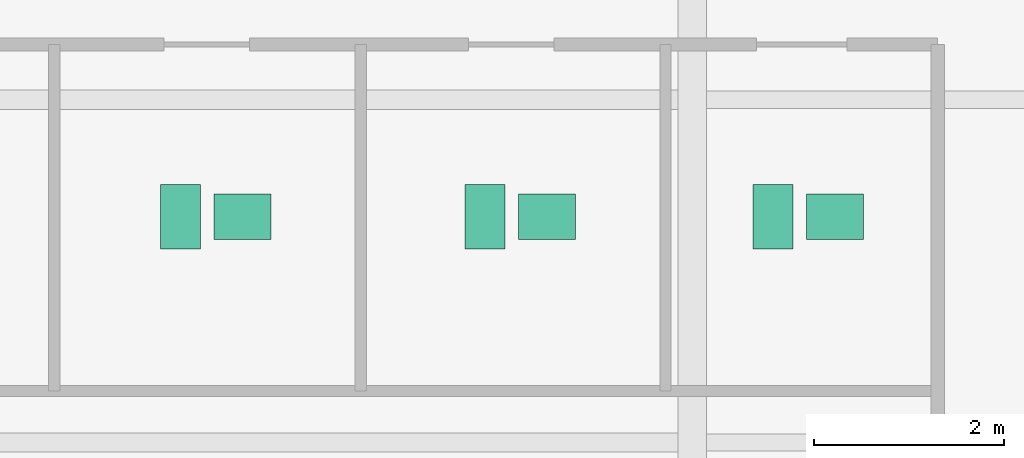
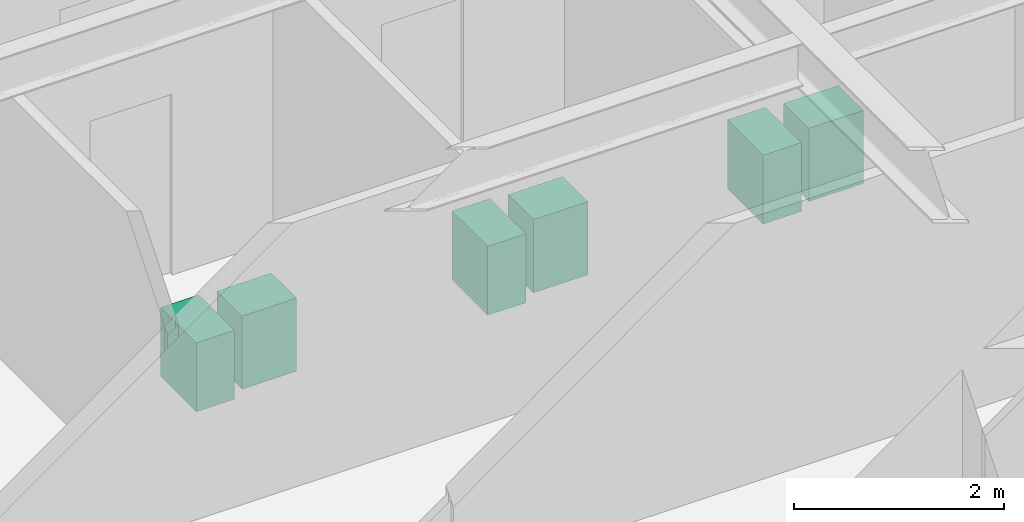
# One storey, part 26 of 26: 6 sanitary terminals.
"""IFC4 building model written with IfcOpenShell, lengths in metres."""

from ifc_helpers import new_model, si_unit, direction, frame, origin, origin_2d, place, context, subcontext, project, spatial, rectangle, extrude, source, transform, mapped, material, type_object, type_shapes, element, save


model = new_model("IFC4")

# Units and contexts
model_context = context("Model", 3, precision=1e-05, world=origin(), true_north=direction((0.0, 1.0)))
body_context = subcontext(model_context, "Body", "Model", "MODEL_VIEW")
ifc_project = project(units=[si_unit("LENGTHUNIT", "METRE"), si_unit("AREAUNIT", "SQUARE_METRE"), si_unit("VOLUMEUNIT", "CUBIC_METRE"), si_unit("PLANEANGLEUNIT", "RADIAN"), si_unit("MASSUNIT", "GRAM", prefix="KILO")], contexts=[model_context])

# Site, building, storey
site_placement = place(None, origin())
site = spatial("IfcSite", under=ifc_project, at=site_placement, CompositionType="ELEMENT")
building_placement = place(site_placement, origin())
building = spatial("IfcBuilding", under=site, at=building_placement, Name="Krantzveldt Concourse Tower", CompositionType="ELEMENT")
storey_placement = place(building_placement, frame((0.0, 0.0, 133.5)))
storey = spatial("IfcBuildingStorey", under=building, at=storey_placement, Name="L32", CompositionType="ELEMENT", Elevation=133.5)

# Sanitary terminals
ifc_material = material(Name="Vitreous china", Category="ceramic")
sanitary_terminal_type_1 = type_object("IfcSanitaryTerminalType", Name="SAN-WC-SUITE", PredefinedType="TOILETPAN", material=ifc_material)
shared_shape_1 = source(origin(), body_context, "Body", "SweptSolid", [
    extrude(rectangle(XDim=0.419921875, YDim=0.679931640625, at=origin_2d()), origin(), (0.0, 0.0, 1.0), 0.800048828125),
])
type_shapes(sanitary_terminal_type_1, [shared_shape_1])
for number, where, z_axis, x_axis, name in (
    (1, (36.02490234375, 32.570068359375, 0.0), (0.0, 0.0, 1.0), (1.0, 0.0, 0.0), "WC-SP-L32-WCM"),
    (2, (39.22509765625, 32.570068359375, 0.0), (0.0, 0.0, 1.0), (1.0, 0.0, 0.0), "WC-SP-L32-WCF"),
    (3, (42.25, 32.570068359375, 0.0), (0.0, 0.0, 1.0), (1.0, 0.0, 0.0), "WC-SP-L32-WCA"),
):
    element("IfcSanitaryTerminal", number, at=place(storey_placement, frame(where, z_axis=z_axis, x_axis=x_axis)), inside=storey, type_object=sanitary_terminal_type_1, Name=name, PredefinedType="TOILETPAN", context=body_context, shape_type="MappedRepresentation", body=[
        mapped(shared_shape_1, transform((0.0, 0.0, 0.0), x_axis=(1.0, 0.0, 0.0), y_axis=(0.0, 1.0, 0.0), z_axis=(0.0, 0.0, 1.0), scale=1.0)),
    ])
sanitary_terminal_type_2 = type_object("IfcSanitaryTerminalType", Name="SAN-BASIN-600", PredefinedType="WASHHANDBASIN", material=ifc_material)
shared_shape_2 = source(origin(), body_context, "Body", "SweptSolid", [
    extrude(rectangle(XDim=0.60009765625, YDim=0.47998046875, at=origin_2d()), origin(), (0.0, 0.0, 1.0), 0.85009765625),
])
type_shapes(sanitary_terminal_type_2, [shared_shape_2])
for number, where, z_axis, x_axis, name in (
    (4, (36.675048828125, 32.570068359375, 0.0048828125), (0.0, 0.0, 1.0), (1.0, 0.0, 0.0), "BSN-SP-L32-WCM"),
    (5, (39.875, 32.570068359375, 0.0048828125), (0.0, 0.0, 1.0), (1.0, 0.0, 0.0), "BSN-SP-L32-WCF"),
    (6, (42.89990234375, 32.570068359375, 0.0048828125), (0.0, 0.0, 1.0), (1.0, 0.0, 0.0), "BSN-SP-L32-WCA"),
):
    element("IfcSanitaryTerminal", number, at=place(storey_placement, frame(where, z_axis=z_axis, x_axis=x_axis)), inside=storey, type_object=sanitary_terminal_type_2, Name=name, PredefinedType="WASHHANDBASIN", context=body_context, shape_type="MappedRepresentation", body=[
        mapped(shared_shape_2, transform((0.0, 0.0, 0.0), x_axis=(1.0, 0.0, 0.0), y_axis=(0.0, 1.0, 0.0), z_axis=(0.0, 0.0, 1.0), scale=1.0)),
    ])

save(model, "model.ifc")
